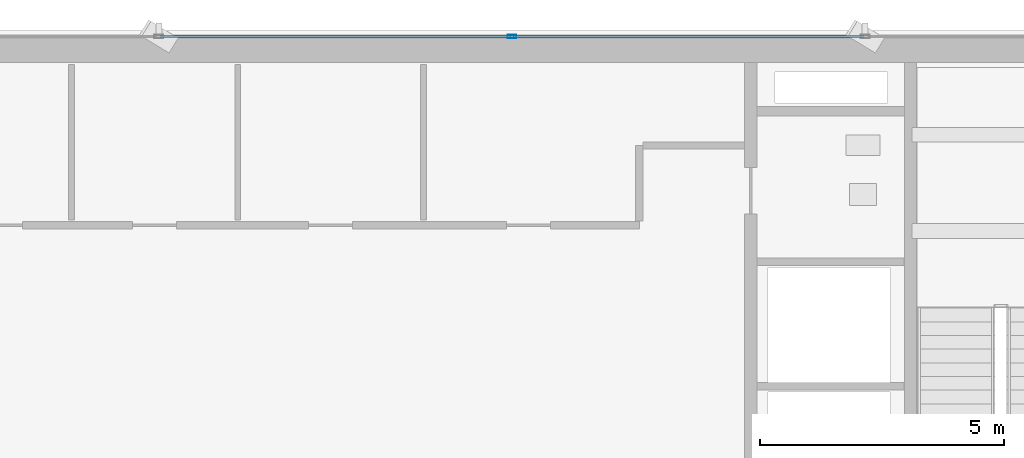
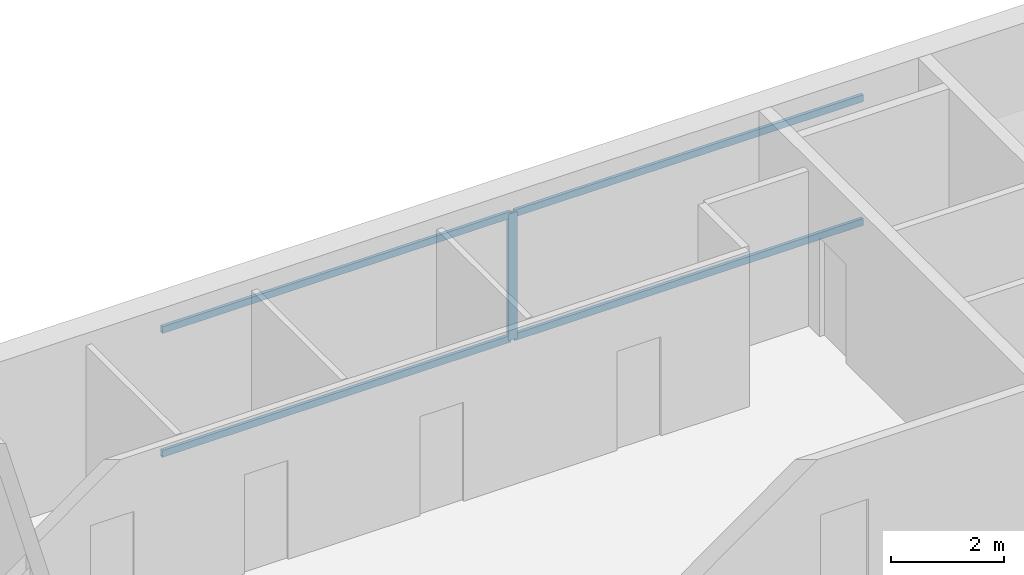
# One storey, part 13 of 22: 5 members, 1 element without a shape of its own.
"""IFC4 building model written with IfcOpenShell, lengths in metres."""

import ifcopenshell
import ifcopenshell.guid

model = None  # the IFC model being written
_history = None  # IfcOwnerHistory: only IFC2X3 demands one
_inside = {}  # id of a spatial element -> (the spatial element, [elements in it])
_under = {}  # id of a project, library or spatial element -> (it, [spatial elements below it])
_declared = {}  # id of a project -> (the project, [libraries it declares])
_typed = {}  # id of a type object -> (the type object, [elements of that type])
_made_of = {}  # id of a material, layer set ... -> (it, [elements and type objects made of it])


def new_model(schema):
    """Start an empty IFC model of exactly this schema.

    Asked for "IFC4X3", IfcOpenShell would pick the latest addendum, in which some entities
    have other attributes; the version numbers below select the first issue.
    IFC2X3 requires an IfcOwnerHistory on every rooted entity: one is made here for all.
    """
    global model, _history
    if schema == "IFC4X3":
        model = ifcopenshell.file(schema_version=(4, 3, 0, 0))
    else:
        model = ifcopenshell.file(schema=schema)
    _inside.clear()
    _under.clear()
    _declared.clear()
    _typed.clear()
    _made_of.clear()
    _history = None
    if model.schema == "IFC2X3":
        org = make("IfcOrganization", Name="unknown")
        user = make(
            "IfcPersonAndOrganization",
            ThePerson=make("IfcPerson", FamilyName="unknown"),
            TheOrganization=org,
        )
        app = make(
            "IfcApplication",
            ApplicationDeveloper=org,
            Version="unknown",
            ApplicationFullName="unknown",
            ApplicationIdentifier="unknown",
        )
        _history = make(
            "IfcOwnerHistory",
            OwningUser=user,
            OwningApplication=app,
            ChangeAction="ADDED",
            CreationDate=0,
        )
    return model


def make(cls, **values):
    """One entity of the class cls with the attributes given. An attribute that is None is left unset."""
    return model.create_entity(
        cls, **{name: value for name, value in values.items() if value is not None}
    )


def rooted(cls, **values):
    """An entity with a GlobalId (a new one), such as an element, a storey or a relation."""
    return make(cls, GlobalId=ifcopenshell.guid.new(), OwnerHistory=_history, **values)


def si_unit(unit_type, name, prefix=None):
    """IfcSIUnit, for example si_unit("LENGTHUNIT", "METRE", prefix="MILLI")."""
    return make("IfcSIUnit", UnitType=unit_type, Prefix=prefix, Name=name)


def assignment(units):
    """IfcUnitAssignment: the units of a project."""
    return None if units is None else make("IfcUnitAssignment", Units=units)


def point(xyz):
    """IfcCartesianPoint."""
    return None if xyz is None else make("IfcCartesianPoint", Coordinates=xyz)


def direction(xyz):
    """IfcDirection."""
    return None if xyz is None else make("IfcDirection", DirectionRatios=xyz)


def frame(location, z_axis=None, x_axis=None):
    """IfcAxis2Placement3D, a coordinate frame: its origin and axes. An axis left out is left unset."""
    return make(
        "IfcAxis2Placement3D",
        Location=point(location),
        Axis=direction(z_axis),
        RefDirection=direction(x_axis),
    )


def frame_2d(location, x_axis=None):
    """IfcAxis2Placement2D, a coordinate frame in the plane: its origin and x axis."""
    return make(
        "IfcAxis2Placement2D", Location=point(location), RefDirection=direction(x_axis)
    )


def origin():
    """The frame at (0, 0, 0) with its axes left unset."""
    return frame((0.0, 0.0, 0.0))


def origin_2d():
    """The frame at (0, 0) in the plane with its x axis left unset."""
    return frame_2d((0.0, 0.0))


def place(relative_to, where):
    """IfcLocalPlacement: puts the frame where relative to a parent placement (None: the world)."""
    return make(
        "IfcLocalPlacement", PlacementRelTo=relative_to, RelativePlacement=where
    )


def context(
    kind, dimensions, precision=None, world=None, true_north=None, identifier=None
):
    """IfcGeometricRepresentationContext, for example the 3D "Model" context."""
    return make(
        "IfcGeometricRepresentationContext",
        ContextIdentifier=identifier,
        ContextType=kind,
        CoordinateSpaceDimension=dimensions,
        Precision=precision,
        WorldCoordinateSystem=world,
        TrueNorth=true_north,
    )


def subcontext(parent, identifier, kind, view, scale=None):
    """IfcGeometricRepresentationSubContext, for example "Body" below "Model"."""
    return make(
        "IfcGeometricRepresentationSubContext",
        ContextIdentifier=identifier,
        ContextType=kind,
        ParentContext=parent,
        TargetScale=scale,
        TargetView=view,
    )


def project(units=None, contexts=None):
    """IfcProject with its units and contexts."""
    return rooted(
        "IfcProject",
        Name="project",
        RepresentationContexts=contexts,
        UnitsInContext=assignment(units),
    )


def spatial(cls, under=None, at=None, **own):
    """A site, building, storey or space (cls), placed at a placement, below another one or the project."""
    s = rooted(cls, ObjectPlacement=at, **own)
    if under is not None:
        _under.setdefault(under.id(), (under, []))[1].append(s)
    return s


def profile(cls, at=None, kind="AREA", **sizes):
    """A parametric profile (cls). Its sizes go by their IFC names, for example OverallWidth=200.0."""
    return make(cls, ProfileType=kind, Position=at, **sizes)


def hollow_rectangle(**sizes):
    """IfcRectangleHollowProfileDef."""
    return profile("IfcRectangleHollowProfileDef", **sizes)


def extrude(swept, where, along, depth):
    """IfcExtrudedAreaSolid: the profile swept, set in the frame where, extruded along a direction by depth."""
    return make(
        "IfcExtrudedAreaSolid",
        SweptArea=swept,
        Position=where,
        ExtrudedDirection=direction(along),
        Depth=depth,
    )


def shape(context_of_items, identifier, shape_type, items):
    """IfcShapeRepresentation: the items that make up one representation, for example the "Body"."""
    return make(
        "IfcShapeRepresentation",
        ContextOfItems=context_of_items,
        RepresentationIdentifier=identifier,
        RepresentationType=shape_type,
        Items=items,
    )


def source(mapping_origin, context_of_items, identifier, shape_type, items):
    """IfcRepresentationMap: a shape defined once, which mapped items show again and again."""
    return make(
        "IfcRepresentationMap",
        MappingOrigin=mapping_origin,
        MappedRepresentation=shape(context_of_items, identifier, shape_type, items),
    )


def transform(
    local_origin,
    x_axis=None,
    y_axis=None,
    z_axis=None,
    scale=None,
    scale2=None,
    scale3=None,
    uniform=True,
):
    """IfcCartesianTransformationOperator3D, or its non-uniform kind. x_axis, y_axis, z_axis: its Axis1, 2, 3."""
    if uniform:
        return make(
            "IfcCartesianTransformationOperator3D",
            Axis1=direction(x_axis),
            Axis2=direction(y_axis),
            LocalOrigin=point(local_origin),
            Scale=scale,
            Axis3=direction(z_axis),
        )
    return make(
        "IfcCartesianTransformationOperator3DnonUniform",
        Axis1=direction(x_axis),
        Axis2=direction(y_axis),
        LocalOrigin=point(local_origin),
        Scale=scale,
        Axis3=direction(z_axis),
        Scale2=scale2,
        Scale3=scale3,
    )


def mapped(mapping_source, mapping_target):
    """IfcMappedItem: shows the shape of a source again, moved by a transform."""
    return make(
        "IfcMappedItem", MappingSource=mapping_source, MappingTarget=mapping_target
    )


def material(Name=None, Category=None):
    """IfcMaterial."""
    return make("IfcMaterial", Name=Name, Category=Category)


def layer(
    of_material, thickness, ventilated=None, Name=None, Category=None, Priority=None
):
    """IfcMaterialLayer: one layer of a wall or slab, of a material (None: an air gap)."""
    return make(
        "IfcMaterialLayer",
        Material=of_material,
        LayerThickness=thickness,
        IsVentilated=ventilated,
        Name=Name,
        Category=Category,
        Priority=Priority,
    )


def layer_set(layers, Name=None):
    """IfcMaterialLayerSet."""
    return make("IfcMaterialLayerSet", MaterialLayers=layers, LayerSetName=Name)


def material_profile(
    of_material, cross_section, Name=None, Category=None, Priority=None
):
    """IfcMaterialProfile: a cross section and its material."""
    return make(
        "IfcMaterialProfile",
        Name=Name,
        Material=of_material,
        Profile=cross_section,
        Priority=Priority,
        Category=Category,
    )


def profile_set(profiles, Name=None, composite=None):
    """IfcMaterialProfileSet."""
    return make(
        "IfcMaterialProfileSet",
        Name=Name,
        MaterialProfiles=profiles,
        CompositeProfile=composite,
    )


def made_of(thing, what):
    """Note that an element or type object is made of a material, layer set ...; save() writes the relation."""
    if what is not None:
        _made_of.setdefault(what.id(), (what, []))[1].append(thing)
    return thing


def type_object(cls, material=None, **own):
    """A type object (cls), such as IfcWallType, which elements share."""
    return made_of(rooted(cls, **own), material)


def element(
    cls,
    number,
    at=None,
    inside=None,
    cuts=None,
    type_object=None,
    material=None,
    context=None,
    identifier="Body",
    shape_type=None,
    held_by="IfcProductDefinitionShape",
    body=None,
    shapes=None,
    **own,
):
    """One element of the class cls, such as IfcWall. Its Tag is "e" and its number.

    at: its placement. inside: the storey or other place that contains it. cuts: it is an
    opening in that element (IfcRelVoidsElement). A single representation is given by context,
    identifier, shape_type and body (its items); several are given by shapes. held_by: the class
    of the entity that holds the representations. save() writes the other relations.
    """
    e = rooted(cls, Tag="e%d" % number, ObjectPlacement=at, **own)
    if body is not None:
        shapes = [shape(context, identifier, shape_type, body)]
    if shapes is not None:
        e.Representation = make(held_by, Representations=shapes)
    if inside is not None:
        _inside.setdefault(inside.id(), (inside, []))[1].append(e)
    if cuts is not None:
        rooted(
            "IfcRelVoidsElement", RelatingBuildingElement=cuts, RelatedOpeningElement=e
        )
    if type_object is not None:
        _typed.setdefault(type_object.id(), (type_object, []))[1].append(e)
    return made_of(e, material)


def aggregate(whole, parts):
    """IfcRelAggregates: a whole, such as a stair, and the parts it consists of."""
    return rooted("IfcRelAggregates", RelatingObject=whole, RelatedObjects=parts)


def save(model, path):
    """Write the relations noted so far, then the file.

    IfcRelAggregates (storeys below a building ...), IfcRelContainedInSpatialStructure (elements
    in a storey), IfcRelDefinesByType, IfcRelAssociatesMaterial and IfcRelDeclares: one each for
    every whole, place, type object, material and project.
    """
    for whole, parts in _under.values():
        aggregate(whole, parts)
    for where, things in _inside.values():
        rooted(
            "IfcRelContainedInSpatialStructure",
            RelatedElements=things,
            RelatingStructure=where,
        )
    for kind, things in _typed.values():
        rooted("IfcRelDefinesByType", RelatedObjects=things, RelatingType=kind)
    for what, things in _made_of.values():
        rooted("IfcRelAssociatesMaterial", RelatedObjects=things, RelatingMaterial=what)
    for by, libraries in _declared.values():
        rooted("IfcRelDeclares", RelatingContext=by, RelatedDefinitions=libraries)
    model.write(path)


model = new_model("IFC4")

# Units and contexts
model_context = context("Model", 3, precision=1e-05, world=origin(), true_north=direction((0.0, 1.0)))
body_context = subcontext(model_context, "Body", "Model", "MODEL_VIEW")
ifc_project = project(units=[si_unit("LENGTHUNIT", "METRE"), si_unit("AREAUNIT", "SQUARE_METRE"), si_unit("VOLUMEUNIT", "CUBIC_METRE"), si_unit("PLANEANGLEUNIT", "RADIAN"), si_unit("MASSUNIT", "GRAM", prefix="KILO")], contexts=[model_context])

# Site, building, storey
site_placement = place(None, origin())
site = spatial("IfcSite", under=ifc_project, at=site_placement, CompositionType="ELEMENT")
building_placement = place(site_placement, origin())
building = spatial("IfcBuilding", under=site, at=building_placement, Name="Sumidabori Civic Tower", CompositionType="ELEMENT")
storey_placement = place(building_placement, frame((0.0, 0.0, 272.0)))
storey = spatial("IfcBuildingStorey", under=building, at=storey_placement, Name="L71", CompositionType="ELEMENT", Elevation=272.0)

# Curtain wall, members
ifc_material = material(Name="Anodised Bronze Aluminium AW-6063-T6", Category="aluminium")
ifc_layer = layer(ifc_material, 0.179931640625, Name="Anodised Bronze Aluminium AW-6063-T6")
ifc_layer_set = layer_set([ifc_layer], Name="Anodised Bronze Aluminium AW-6063-T6")
curtain_wall_type = type_object("IfcCurtainWallType", Name="CW-SYS-6", PredefinedType="NOTDEFINED", material=ifc_layer_set)
curtain_wall_placement = place(storey_placement, origin())
curtain_wall = element("IfcCurtainWall", 1, at=curtain_wall_placement, inside=storey, type_object=curtain_wall_type, Name="Curtain Wall CW:L71:R07", PredefinedType="NOTDEFINED")
ifc_material_profile_1 = material_profile(ifc_material, hollow_rectangle(XDim=0.070068359375, YDim=0.179931640625, WallThickness=0.006103515625, at=origin_2d()), Name="ALU MULLION 180x70")
ifc_profile_set_1 = profile_set([ifc_material_profile_1], Name="Anodised Bronze Aluminium AW-6063-T6")
member_type_1 = type_object("IfcMemberType", Name="CW-MUL-180", PredefinedType="MULLION", material=ifc_profile_set_1)
shared_shape_1 = source(origin(), body_context, "Body", "SweptSolid", [
    extrude(hollow_rectangle(XDim=0.070068359375, YDim=0.179931640625, WallThickness=0.006103515625, at=origin_2d()), origin(), (0.0, 0.0, 1.0), 2.75),
])
member_1_placement = place(storey_placement, frame((3.614013671875, 24.080078125, 0.0), z_axis=(0.0, 0.0, 1.0), x_axis=(0.0, -1.0, 0.0)))
member_1 = element("IfcMember", 2, at=member_1_placement, type_object=member_type_1, Name="CW-6 mullion 3", PredefinedType="MULLION", context=body_context, shape_type="MappedRepresentation", body=[
    mapped(shared_shape_1, transform((0.0, 0.0, 0.0), x_axis=(1.0, 0.0, 0.0), y_axis=(0.0, 1.0, 0.0), z_axis=(0.0, 0.0, 1.0), scale=1.0)),
])
ifc_material_profile_2 = material_profile(ifc_material, hollow_rectangle(XDim=0.06494140625, YDim=0.14990234375, WallThickness=0.0048828125, at=origin_2d()), Name="ALU TRANSOM 150x65")
ifc_profile_set_2 = profile_set([ifc_material_profile_2], Name="Anodised Bronze Aluminium AW-6063-T6")
member_type_2 = type_object("IfcMemberType", Name="CW-TRN-150", PredefinedType="USERDEFINED", material=ifc_profile_set_2)
shared_shape_2 = source(origin(), body_context, "Body", "SweptSolid", [
    extrude(hollow_rectangle(XDim=0.06494140625, YDim=0.14990234375, WallThickness=0.0048828125, at=origin_2d()), origin(), (0.0, 0.0, 1.0), 7.157958984375),
])
member_2_placement = place(storey_placement, frame((10.806884765625, 24.080078125, 0.032470703125), z_axis=(-1.0, 0.0, 0.0), x_axis=(0.0, -1.0, 0.0)))
member_2 = element("IfcMember", 3, at=member_2_placement, type_object=member_type_2, Name="CW-6 transom 2.1", ObjectType="TRANSOM", PredefinedType="USERDEFINED", context=body_context, shape_type="MappedRepresentation", body=[
    mapped(shared_shape_2, transform((0.0, 0.0, 0.0), x_axis=(1.0, 0.0, 0.0), y_axis=(0.0, 1.0, 0.0), z_axis=(0.0, 0.0, 1.0), scale=1.0)),
])
member_3_placement = place(storey_placement, frame((10.806884765625, 24.080078125, 2.717529296875), z_axis=(-1.0, 0.0, 0.0), x_axis=(0.0, -1.0, 0.0)))
member_3 = element("IfcMember", 4, at=member_3_placement, type_object=member_type_2, Name="CW-6 transom 2.2", ObjectType="TRANSOM", PredefinedType="USERDEFINED", context=body_context, shape_type="MappedRepresentation", body=[
    mapped(shared_shape_2, transform((0.0, 0.0, 0.0), x_axis=(1.0, 0.0, 0.0), y_axis=(0.0, 1.0, 0.0), z_axis=(0.0, 0.0, 1.0), scale=1.0)),
])
shared_shape_3 = source(origin(), body_context, "Body", "SweptSolid", [
    extrude(hollow_rectangle(XDim=0.06494140625, YDim=0.14990234375, WallThickness=0.0048828125, at=origin_2d()), origin(), (0.0, 0.0, 1.0), 7.158203125),
])
member_4_placement = place(storey_placement, frame((3.5791015625, 24.080078125, 0.032470703125), z_axis=(-1.0, 0.0, 0.0), x_axis=(0.0, -1.0, 0.0)))
member_4 = element("IfcMember", 5, at=member_4_placement, type_object=member_type_2, Name="CW-6 transom 3.1", ObjectType="TRANSOM", PredefinedType="USERDEFINED", context=body_context, shape_type="MappedRepresentation", body=[
    mapped(shared_shape_3, transform((0.0, 0.0, 0.0), x_axis=(1.0, 0.0, 0.0), y_axis=(0.0, 1.0, 0.0), z_axis=(0.0, 0.0, 1.0), scale=1.0)),
])
member_5_placement = place(storey_placement, frame((3.5791015625, 24.080078125, 2.717529296875), z_axis=(-1.0, 0.0, 0.0), x_axis=(0.0, -1.0, 0.0)))
member_5 = element("IfcMember", 6, at=member_5_placement, type_object=member_type_2, Name="CW-6 transom 3.2", ObjectType="TRANSOM", PredefinedType="USERDEFINED", context=body_context, shape_type="MappedRepresentation", body=[
    mapped(shared_shape_3, transform((0.0, 0.0, 0.0), x_axis=(1.0, 0.0, 0.0), y_axis=(0.0, 1.0, 0.0), z_axis=(0.0, 0.0, 1.0), scale=1.0)),
])
aggregate(curtain_wall, [member_1, member_2, member_3, member_4, member_5])

save(model, "model.ifc")
